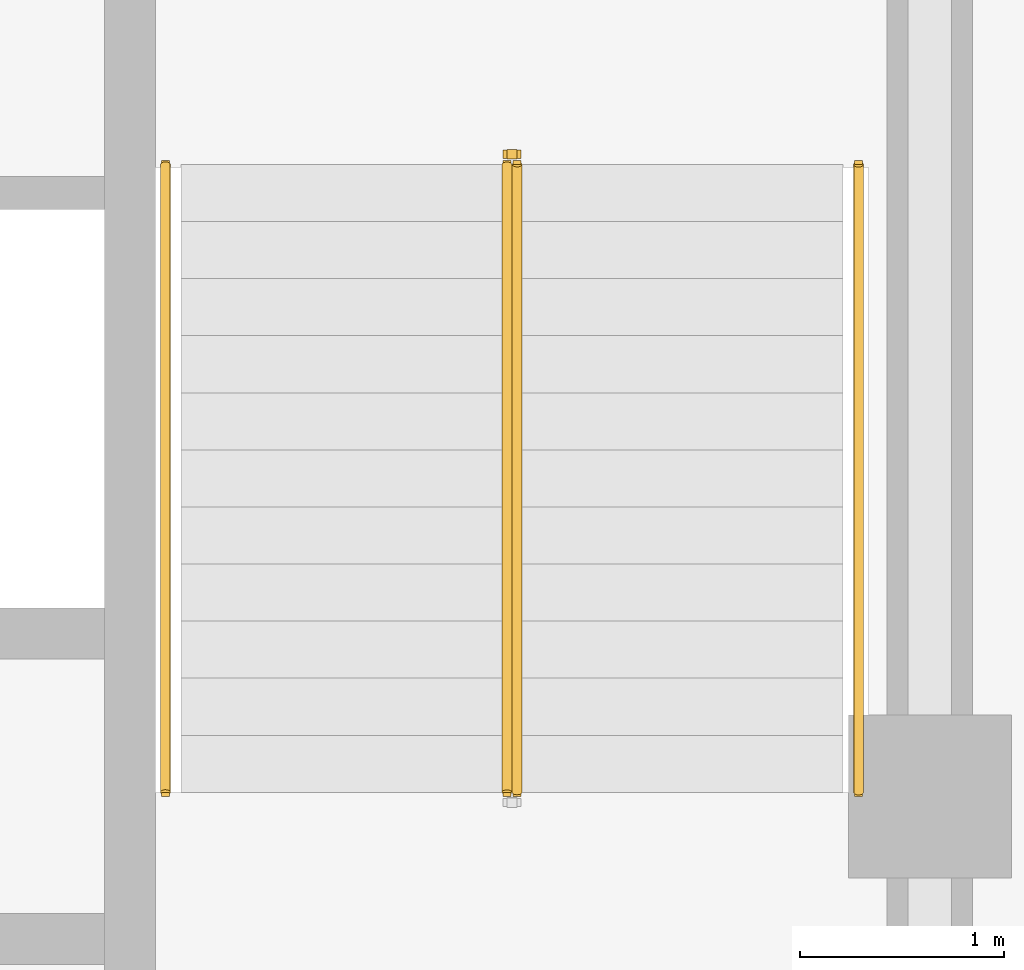
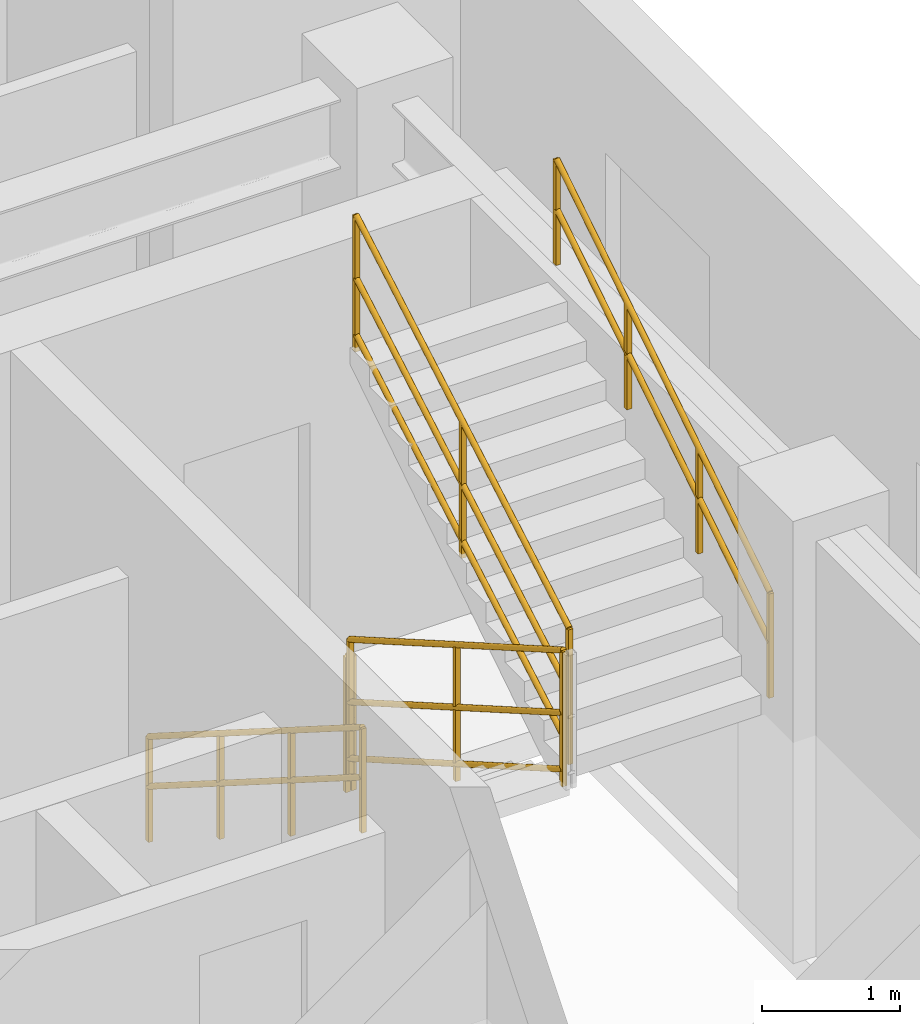
# One storey, part 9 of 10: 5 railings.
"""IFC4 building model written with IfcOpenShell, lengths in metres."""

from ifc_helpers import new_model, entity, si_unit, converted_unit, direction, frame, origin_with_axes, origin_2d_with_axis, place, context, subcontext, project, spatial, rectangle, circle, extrude, material, type_object, element, save


model = new_model("IFC4")

# Units and contexts
model_context = context("Model", 3, precision=1e-05, world=origin_with_axes(), true_north=direction((0.0, 1.0)))
body_context = subcontext(model_context, "Body", "Model", "MODEL_VIEW")
ifc_project = project(units=[si_unit("LENGTHUNIT", "METRE"), si_unit("AREAUNIT", "SQUARE_METRE"), si_unit("VOLUMEUNIT", "CUBIC_METRE"), converted_unit("PLANEANGLEUNIT", "DEGREE", entity("IfcPlaneAngleMeasure", 0.017453292519943295), si_unit("PLANEANGLEUNIT", "RADIAN"), dimensions=[0, 0, 0, 0, 0, 0, 0]), si_unit("MASSUNIT", "GRAM", prefix="KILO"), si_unit("THERMODYNAMICTEMPERATUREUNIT", "KELVIN")], contexts=[model_context])

# Site, building, storey
site_placement = place(None, origin_with_axes())
site = spatial("IfcSite", under=ifc_project, at=site_placement, CompositionType="ELEMENT")
building_placement = place(site_placement, origin_with_axes())
building = spatial("IfcBuilding", under=site, at=building_placement, Name="Varnlund Millrace Tower", CompositionType="ELEMENT")
storey_placement = place(building_placement, frame((0.0, 0.0, 280.2), z_axis=(0.0, 0.0, 1.0), x_axis=(1.0, 0.0, 0.0)))
storey = spatial("IfcBuildingStorey", under=building, at=storey_placement, Name="L69", CompositionType="ELEMENT", Elevation=280.2)

# Railings
ifc_material_1 = material(Name="Painted steel stair well balustrade guard", Category="steel")
railing_type_1 = type_object("IfcRailingType", Name="Type-StairGuard-1150", PredefinedType="GUARDRAIL", material=ifc_material_1)
railing_1_placement = place(storey_placement, frame((0.0, 0.0, -280.2), z_axis=(0.0, 0.0, 1.0), x_axis=(1.0, 0.0, 0.0)))
element("IfcRailing", 1, at=railing_1_placement, inside=storey, type_object=railing_type_1, Name="Type-StairGuard-1150", PredefinedType="GUARDRAIL", context=body_context, shape_type="SweptSolid", body=[
    extrude(circle(Radius=0.024, at=origin_2d_with_axis()), frame((45.975, 21.1, 281.527273), z_axis=(0.0, -0.866696, 0.498836), x_axis=(1.0, 0.0, 0.0)), (0.0, 0.0, 1.0), 3.553725),
    extrude(circle(Radius=0.024, at=origin_2d_with_axis()), frame((45.975, 21.1, 280.477273), z_axis=(0.0, -0.866696, 0.498836), x_axis=(1.0, 0.0, 0.0)), (0.0, 0.0, 1.0), 3.553725),
    extrude(circle(Radius=0.024, at=origin_2d_with_axis()), frame((45.975, 21.1, 280.975273), z_axis=(0.0, -0.866696, 0.498836), x_axis=(1.0, 0.0, 0.0)), (0.0, 0.0, 1.0), 3.553725),
    extrude(rectangle(XDim=0.04, YDim=0.04, at=origin_2d_with_axis()), frame((45.975, 21.1, 280.337273), z_axis=(0.0, 0.0, 1.0), x_axis=(1.0, 0.0, 0.0)), (0.0, 0.0, 1.0), 1.19),
    extrude(rectangle(XDim=0.04, YDim=0.04, at=origin_2d_with_axis()), frame((45.975, 19.56, 281.223636), z_axis=(0.0, 0.0, 1.0), x_axis=(1.0, 0.0, 0.0)), (0.0, 0.0, 1.0), 1.19),
    extrude(rectangle(XDim=0.04, YDim=0.04, at=origin_2d_with_axis()), frame((45.975, 18.02, 282.11), z_axis=(0.0, 0.0, 1.0), x_axis=(1.0, 0.0, 0.0)), (0.0, 0.0, 1.0), 1.19),
])
railing_2_placement = place(storey_placement, frame((0.0, 0.0, -280.2), z_axis=(0.0, 0.0, 1.0), x_axis=(1.0, 0.0, 0.0)))
element("IfcRailing", 2, at=railing_2_placement, inside=storey, type_object=railing_type_1, Name="Type-StairGuard-1150", PredefinedType="GUARDRAIL", context=body_context, shape_type="SweptSolid", body=[
    extrude(circle(Radius=0.024, at=origin_2d_with_axis()), frame((46.025, 18.02, 283.477273), z_axis=(0.0, 0.866696, 0.498836), x_axis=(-1.0, 0.0, 0.0)), (0.0, 0.0, 1.0), 3.553725),
    extrude(circle(Radius=0.024, at=origin_2d_with_axis()), frame((46.025, 18.02, 282.427273), z_axis=(0.0, 0.866696, 0.498836), x_axis=(-1.0, 0.0, 0.0)), (0.0, 0.0, 1.0), 3.553725),
    extrude(circle(Radius=0.024, at=origin_2d_with_axis()), frame((46.025, 18.02, 282.925273), z_axis=(0.0, 0.866696, 0.498836), x_axis=(-1.0, 0.0, 0.0)), (0.0, 0.0, 1.0), 3.553725),
    extrude(rectangle(XDim=0.04, YDim=0.04, at=origin_2d_with_axis()), frame((46.025, 18.02, 282.287273), z_axis=(0.0, 0.0, 1.0), x_axis=(1.0, 0.0, 0.0)), (0.0, 0.0, 1.0), 1.19),
    extrude(rectangle(XDim=0.04, YDim=0.04, at=origin_2d_with_axis()), frame((46.025, 19.56, 283.173636), z_axis=(0.0, 0.0, 1.0), x_axis=(1.0, 0.0, 0.0)), (0.0, 0.0, 1.0), 1.19),
    extrude(rectangle(XDim=0.04, YDim=0.04, at=origin_2d_with_axis()), frame((46.025, 21.1, 284.06), z_axis=(0.0, 0.0, 1.0), x_axis=(1.0, 0.0, 0.0)), (0.0, 0.0, 1.0), 1.19),
])
railing_3_placement = place(storey_placement, frame((0.0, 0.0, -280.2), z_axis=(0.0, 0.0, 1.0), x_axis=(1.0, 0.0, 0.0)))
element("IfcRailing", 3, at=railing_3_placement, inside=storey, type_object=railing_type_1, Name="Type-StairGuard-1150", PredefinedType="GUARDRAIL", context=body_context, shape_type="SweptSolid", body=[
    extrude(circle(Radius=0.024, at=origin_2d_with_axis()), frame((46.025, 21.15, 281.35), z_axis=(-1.0, 0.0, 0.0), x_axis=(0.0, -1.0, 0.0)), (0.0, 0.0, 1.0), 0.05),
    extrude(circle(Radius=0.024, at=origin_2d_with_axis()), frame((46.025, 21.15, 280.3), z_axis=(-1.0, 0.0, 0.0), x_axis=(0.0, -1.0, 0.0)), (0.0, 0.0, 1.0), 0.05),
    extrude(circle(Radius=0.024, at=origin_2d_with_axis()), frame((46.025, 21.15, 280.798), z_axis=(-1.0, 0.0, 0.0), x_axis=(0.0, -1.0, 0.0)), (0.0, 0.0, 1.0), 0.05),
    extrude(rectangle(XDim=0.04, YDim=0.04, at=origin_2d_with_axis()), frame((46.025, 21.15, 280.16), z_axis=(0.0, 0.0, 1.0), x_axis=(1.0, 0.0, 0.0)), (0.0, 0.0, 1.0), 1.19),
    extrude(rectangle(XDim=0.04, YDim=0.04, at=origin_2d_with_axis()), frame((45.975, 21.15, 280.16), z_axis=(0.0, 0.0, 1.0), x_axis=(1.0, 0.0, 0.0)), (0.0, 0.0, 1.0), 1.19),
])
ifc_material_2 = material(Name="Brushed architectural bronze stair handrail", Category="aluminium")
railing_type_2 = type_object("IfcRailingType", Name="Type-StairHandrail-900", PredefinedType="HANDRAIL", material=ifc_material_2)
railing_4_placement = place(storey_placement, frame((0.0, 0.0, -280.2), z_axis=(0.0, 0.0, 1.0), x_axis=(1.0, 0.0, 0.0)))
element("IfcRailing", 4, at=railing_4_placement, inside=storey, type_object=railing_type_2, Name="Type-StairHandrail-900", PredefinedType="HANDRAIL", context=body_context, shape_type="SweptSolid", body=[
    extrude(circle(Radius=0.024, at=origin_2d_with_axis()), frame((44.3, 21.1, 281.256995), z_axis=(0.0, -0.844902, 0.534922), x_axis=(1.0, 0.0, 0.0)), (0.0, 0.0, 1.0), 3.645394),
    extrude(circle(Radius=0.024, at=origin_2d_with_axis()), frame((44.3, 21.1, 280.817134), z_axis=(0.0, -0.844902, 0.534922), x_axis=(1.0, 0.0, 0.0)), (0.0, 0.0, 1.0), 3.645394),
    extrude(rectangle(XDim=0.04, YDim=0.04, at=origin_2d_with_axis()), frame((44.3, 21.1, 280.337273), z_axis=(0.0, 0.0, 1.0), x_axis=(1.0, 0.0, 0.0)), (0.0, 0.0, 1.0), 0.919722),
    extrude(rectangle(XDim=0.04, YDim=0.04, at=origin_2d_with_axis()), frame((44.3, 20.073333, 280.987273), z_axis=(0.0, 0.0, 1.0), x_axis=(1.0, 0.0, 0.0)), (0.0, 0.0, 1.0), 0.919722),
    extrude(rectangle(XDim=0.04, YDim=0.04, at=origin_2d_with_axis()), frame((44.3, 19.046667, 281.637273), z_axis=(0.0, 0.0, 1.0), x_axis=(1.0, 0.0, 0.0)), (0.0, 0.0, 1.0), 0.919722),
    extrude(rectangle(XDim=0.04, YDim=0.04, at=origin_2d_with_axis()), frame((44.3, 18.02, 282.287273), z_axis=(0.0, 0.0, 1.0), x_axis=(1.0, 0.0, 0.0)), (0.0, 0.0, 1.0), 0.919722),
])
railing_5_placement = place(storey_placement, frame((0.0, 0.0, -280.2), z_axis=(0.0, 0.0, 1.0), x_axis=(1.0, 0.0, 0.0)))
element("IfcRailing", 5, at=railing_5_placement, inside=storey, type_object=railing_type_2, Name="Type-StairHandrail-900", PredefinedType="HANDRAIL", context=body_context, shape_type="SweptSolid", body=[
    extrude(circle(Radius=0.024, at=origin_2d_with_axis()), frame((47.7, 18.02, 283.206995), z_axis=(0.0, 0.844902, 0.534922), x_axis=(-1.0, 0.0, 0.0)), (0.0, 0.0, 1.0), 3.645394),
    extrude(circle(Radius=0.024, at=origin_2d_with_axis()), frame((47.7, 18.02, 282.767134), z_axis=(0.0, 0.844902, 0.534922), x_axis=(-1.0, 0.0, 0.0)), (0.0, 0.0, 1.0), 3.645394),
    extrude(rectangle(XDim=0.04, YDim=0.04, at=origin_2d_with_axis()), frame((47.7, 18.02, 282.287273), z_axis=(0.0, 0.0, 1.0), x_axis=(1.0, 0.0, 0.0)), (0.0, 0.0, 1.0), 0.919722),
    extrude(rectangle(XDim=0.04, YDim=0.04, at=origin_2d_with_axis()), frame((47.7, 19.046667, 282.937273), z_axis=(0.0, 0.0, 1.0), x_axis=(1.0, 0.0, 0.0)), (0.0, 0.0, 1.0), 0.919722),
    extrude(rectangle(XDim=0.04, YDim=0.04, at=origin_2d_with_axis()), frame((47.7, 20.073333, 283.587273), z_axis=(0.0, 0.0, 1.0), x_axis=(1.0, 0.0, 0.0)), (0.0, 0.0, 1.0), 0.919722),
    extrude(rectangle(XDim=0.04, YDim=0.04, at=origin_2d_with_axis()), frame((47.7, 21.1, 284.237273), z_axis=(0.0, 0.0, 1.0), x_axis=(1.0, 0.0, 0.0)), (0.0, 0.0, 1.0), 0.919722),
])

save(model, "model.ifc")
